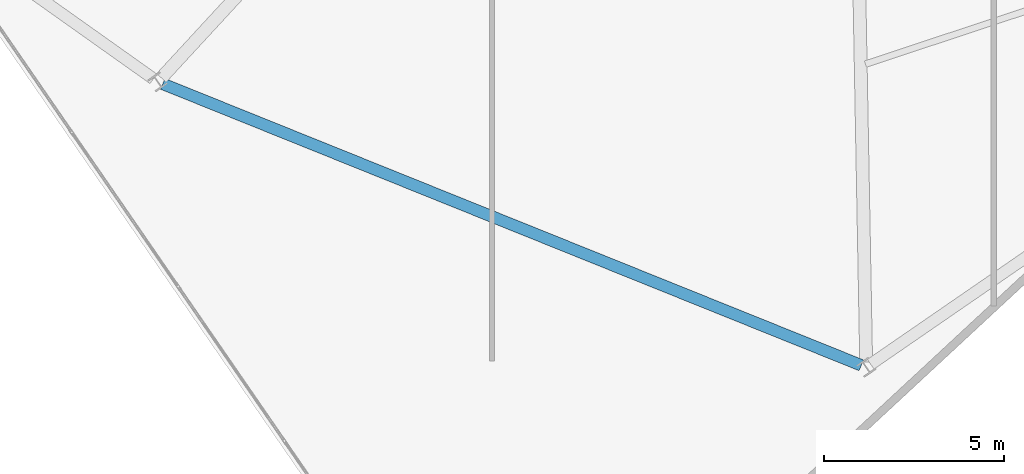
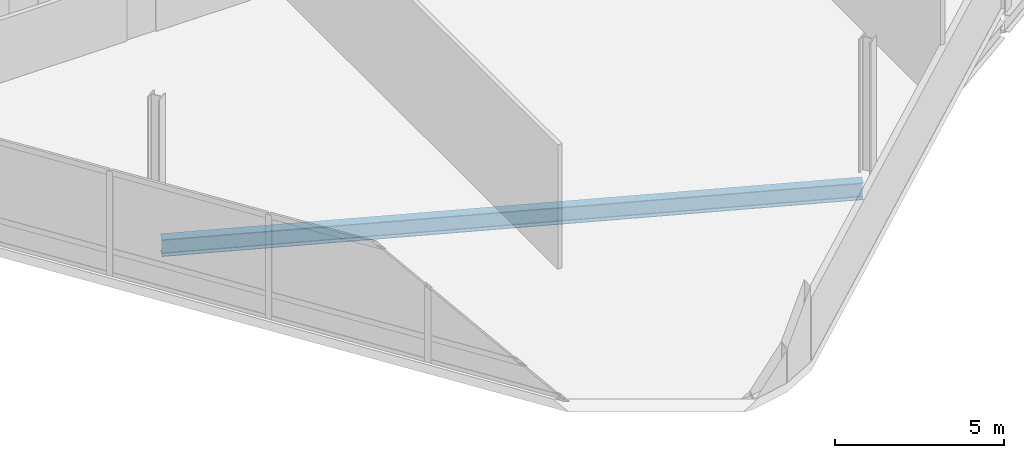
# One storey, part 4 of 15: 1 beam.
"""IFC4 building model written with IfcOpenShell, lengths in metres."""

import ifcopenshell
import ifcopenshell.guid

model = None  # the IFC model being written
_history = None  # IfcOwnerHistory: only IFC2X3 demands one
_inside = {}  # id of a spatial element -> (the spatial element, [elements in it])
_under = {}  # id of a project, library or spatial element -> (it, [spatial elements below it])
_declared = {}  # id of a project -> (the project, [libraries it declares])
_typed = {}  # id of a type object -> (the type object, [elements of that type])
_made_of = {}  # id of a material, layer set ... -> (it, [elements and type objects made of it])


def new_model(schema):
    """Start an empty IFC model of exactly this schema.

    Asked for "IFC4X3", IfcOpenShell would pick the latest addendum, in which some entities
    have other attributes; the version numbers below select the first issue.
    IFC2X3 requires an IfcOwnerHistory on every rooted entity: one is made here for all.
    """
    global model, _history
    if schema == "IFC4X3":
        model = ifcopenshell.file(schema_version=(4, 3, 0, 0))
    else:
        model = ifcopenshell.file(schema=schema)
    _inside.clear()
    _under.clear()
    _declared.clear()
    _typed.clear()
    _made_of.clear()
    _history = None
    if model.schema == "IFC2X3":
        org = make("IfcOrganization", Name="unknown")
        user = make(
            "IfcPersonAndOrganization",
            ThePerson=make("IfcPerson", FamilyName="unknown"),
            TheOrganization=org,
        )
        app = make(
            "IfcApplication",
            ApplicationDeveloper=org,
            Version="unknown",
            ApplicationFullName="unknown",
            ApplicationIdentifier="unknown",
        )
        _history = make(
            "IfcOwnerHistory",
            OwningUser=user,
            OwningApplication=app,
            ChangeAction="ADDED",
            CreationDate=0,
        )
    return model


def make(cls, **values):
    """One entity of the class cls with the attributes given. An attribute that is None is left unset."""
    return model.create_entity(
        cls, **{name: value for name, value in values.items() if value is not None}
    )


def rooted(cls, **values):
    """An entity with a GlobalId (a new one), such as an element, a storey or a relation."""
    return make(cls, GlobalId=ifcopenshell.guid.new(), OwnerHistory=_history, **values)


def si_unit(unit_type, name, prefix=None):
    """IfcSIUnit, for example si_unit("LENGTHUNIT", "METRE", prefix="MILLI")."""
    return make("IfcSIUnit", UnitType=unit_type, Prefix=prefix, Name=name)


def assignment(units):
    """IfcUnitAssignment: the units of a project."""
    return None if units is None else make("IfcUnitAssignment", Units=units)


def point(xyz):
    """IfcCartesianPoint."""
    return None if xyz is None else make("IfcCartesianPoint", Coordinates=xyz)


def direction(xyz):
    """IfcDirection."""
    return None if xyz is None else make("IfcDirection", DirectionRatios=xyz)


def frame(location, z_axis=None, x_axis=None):
    """IfcAxis2Placement3D, a coordinate frame: its origin and axes. An axis left out is left unset."""
    return make(
        "IfcAxis2Placement3D",
        Location=point(location),
        Axis=direction(z_axis),
        RefDirection=direction(x_axis),
    )


def frame_2d(location, x_axis=None):
    """IfcAxis2Placement2D, a coordinate frame in the plane: its origin and x axis."""
    return make(
        "IfcAxis2Placement2D", Location=point(location), RefDirection=direction(x_axis)
    )


def origin():
    """The frame at (0, 0, 0) with its axes left unset."""
    return frame((0.0, 0.0, 0.0))


def origin_2d():
    """The frame at (0, 0) in the plane with its x axis left unset."""
    return frame_2d((0.0, 0.0))


def place(relative_to, where):
    """IfcLocalPlacement: puts the frame where relative to a parent placement (None: the world)."""
    return make(
        "IfcLocalPlacement", PlacementRelTo=relative_to, RelativePlacement=where
    )


def context(
    kind, dimensions, precision=None, world=None, true_north=None, identifier=None
):
    """IfcGeometricRepresentationContext, for example the 3D "Model" context."""
    return make(
        "IfcGeometricRepresentationContext",
        ContextIdentifier=identifier,
        ContextType=kind,
        CoordinateSpaceDimension=dimensions,
        Precision=precision,
        WorldCoordinateSystem=world,
        TrueNorth=true_north,
    )


def subcontext(parent, identifier, kind, view, scale=None):
    """IfcGeometricRepresentationSubContext, for example "Body" below "Model"."""
    return make(
        "IfcGeometricRepresentationSubContext",
        ContextIdentifier=identifier,
        ContextType=kind,
        ParentContext=parent,
        TargetScale=scale,
        TargetView=view,
    )


def project(units=None, contexts=None):
    """IfcProject with its units and contexts."""
    return rooted(
        "IfcProject",
        Name="project",
        RepresentationContexts=contexts,
        UnitsInContext=assignment(units),
    )


def spatial(cls, under=None, at=None, **own):
    """A site, building, storey or space (cls), placed at a placement, below another one or the project."""
    s = rooted(cls, ObjectPlacement=at, **own)
    if under is not None:
        _under.setdefault(under.id(), (under, []))[1].append(s)
    return s


def profile(cls, at=None, kind="AREA", **sizes):
    """A parametric profile (cls). Its sizes go by their IFC names, for example OverallWidth=200.0."""
    return make(cls, ProfileType=kind, Position=at, **sizes)


def i_section(**sizes):
    """IfcIShapeProfileDef."""
    return profile("IfcIShapeProfileDef", **sizes)


def extrude(swept, where, along, depth):
    """IfcExtrudedAreaSolid: the profile swept, set in the frame where, extruded along a direction by depth."""
    return make(
        "IfcExtrudedAreaSolid",
        SweptArea=swept,
        Position=where,
        ExtrudedDirection=direction(along),
        Depth=depth,
    )


def shape(context_of_items, identifier, shape_type, items):
    """IfcShapeRepresentation: the items that make up one representation, for example the "Body"."""
    return make(
        "IfcShapeRepresentation",
        ContextOfItems=context_of_items,
        RepresentationIdentifier=identifier,
        RepresentationType=shape_type,
        Items=items,
    )


def material(Name=None, Category=None):
    """IfcMaterial."""
    return make("IfcMaterial", Name=Name, Category=Category)


def material_profile(
    of_material, cross_section, Name=None, Category=None, Priority=None
):
    """IfcMaterialProfile: a cross section and its material."""
    return make(
        "IfcMaterialProfile",
        Name=Name,
        Material=of_material,
        Profile=cross_section,
        Priority=Priority,
        Category=Category,
    )


def profile_set(profiles, Name=None, composite=None):
    """IfcMaterialProfileSet."""
    return make(
        "IfcMaterialProfileSet",
        Name=Name,
        MaterialProfiles=profiles,
        CompositeProfile=composite,
    )


def made_of(thing, what):
    """Note that an element or type object is made of a material, layer set ...; save() writes the relation."""
    if what is not None:
        _made_of.setdefault(what.id(), (what, []))[1].append(thing)
    return thing


def type_object(cls, material=None, **own):
    """A type object (cls), such as IfcWallType, which elements share."""
    return made_of(rooted(cls, **own), material)


def element(
    cls,
    number,
    at=None,
    inside=None,
    cuts=None,
    type_object=None,
    material=None,
    context=None,
    identifier="Body",
    shape_type=None,
    held_by="IfcProductDefinitionShape",
    body=None,
    shapes=None,
    **own,
):
    """One element of the class cls, such as IfcWall. Its Tag is "e" and its number.

    at: its placement. inside: the storey or other place that contains it. cuts: it is an
    opening in that element (IfcRelVoidsElement). A single representation is given by context,
    identifier, shape_type and body (its items); several are given by shapes. held_by: the class
    of the entity that holds the representations. save() writes the other relations.
    """
    e = rooted(cls, Tag="e%d" % number, ObjectPlacement=at, **own)
    if body is not None:
        shapes = [shape(context, identifier, shape_type, body)]
    if shapes is not None:
        e.Representation = make(held_by, Representations=shapes)
    if inside is not None:
        _inside.setdefault(inside.id(), (inside, []))[1].append(e)
    if cuts is not None:
        rooted(
            "IfcRelVoidsElement", RelatingBuildingElement=cuts, RelatedOpeningElement=e
        )
    if type_object is not None:
        _typed.setdefault(type_object.id(), (type_object, []))[1].append(e)
    return made_of(e, material)


def aggregate(whole, parts):
    """IfcRelAggregates: a whole, such as a stair, and the parts it consists of."""
    return rooted("IfcRelAggregates", RelatingObject=whole, RelatedObjects=parts)


def save(model, path):
    """Write the relations noted so far, then the file.

    IfcRelAggregates (storeys below a building ...), IfcRelContainedInSpatialStructure (elements
    in a storey), IfcRelDefinesByType, IfcRelAssociatesMaterial and IfcRelDeclares: one each for
    every whole, place, type object, material and project.
    """
    for whole, parts in _under.values():
        aggregate(whole, parts)
    for where, things in _inside.values():
        rooted(
            "IfcRelContainedInSpatialStructure",
            RelatedElements=things,
            RelatingStructure=where,
        )
    for kind, things in _typed.values():
        rooted("IfcRelDefinesByType", RelatedObjects=things, RelatingType=kind)
    for what, things in _made_of.values():
        rooted("IfcRelAssociatesMaterial", RelatedObjects=things, RelatingMaterial=what)
    for by, libraries in _declared.values():
        rooted("IfcRelDeclares", RelatingContext=by, RelatedDefinitions=libraries)
    model.write(path)


model = new_model("IFC4")

# Units and contexts
model_context = context("Model", 3, precision=1e-05, world=origin(), true_north=direction((0.0, 1.0)))
body_context = subcontext(model_context, "Body", "Model", "MODEL_VIEW")
ifc_project = project(units=[si_unit("LENGTHUNIT", "METRE"), si_unit("AREAUNIT", "SQUARE_METRE"), si_unit("VOLUMEUNIT", "CUBIC_METRE"), si_unit("PLANEANGLEUNIT", "RADIAN"), si_unit("MASSUNIT", "GRAM", prefix="KILO")], contexts=[model_context])

# Site, building, storey
site_placement = place(None, origin())
site = spatial("IfcSite", under=ifc_project, at=site_placement, CompositionType="ELEMENT")
building_placement = place(site_placement, origin())
building = spatial("IfcBuilding", under=site, at=building_placement, Name="Varnelok Gate Tower", CompositionType="ELEMENT")
storey_placement = place(building_placement, frame((0.0, 0.0, 291.5)))
storey = spatial("IfcBuildingStorey", under=building, at=storey_placement, Name="L75", CompositionType="ELEMENT", Elevation=291.5)

# Beam
ifc_material = material(Name="Structural Steel ASTM A992 Grade 50", Category="steel")
ifc_material_profile = material_profile(ifc_material, i_section(OverallWidth=0.323974609375, OverallDepth=0.611083984375, WebThickness=0.0126953125, FlangeThickness=0.01904296875, FilletRadius=0.01806640625, at=origin_2d()), Name="W24X104")
ifc_profile_set = profile_set([ifc_material_profile], Name="Structural Steel ASTM A992 Grade 50")
beam_type = type_object("IfcBeamType", Name="BM-SPN-W24X104", PredefinedType="SPANDREL", material=ifc_profile_set)
beam_placement = place(storey_placement, frame((14.581787109375, 7.94775390625, -0.62548828125), z_axis=(0.927546574087, -0.373707576722, 0.0), x_axis=(0.373707576722, 0.927546574087, 0.0)))
element("IfcBeam", 1, at=beam_placement, inside=storey, type_object=beam_type, Name="L75 Perimeter Spandrel Beam 16", PredefinedType="SPANDREL", context=body_context, shape_type="SweptSolid", body=[
    extrude(i_section(OverallWidth=0.323974609375, OverallDepth=0.611083984375, WebThickness=0.0126953125, FlangeThickness=0.01904296875, FilletRadius=0.01806640625, at=origin_2d()), origin(), (0.0, 0.0, 1.0), 20.90087890625),
])

save(model, "model.ifc")
